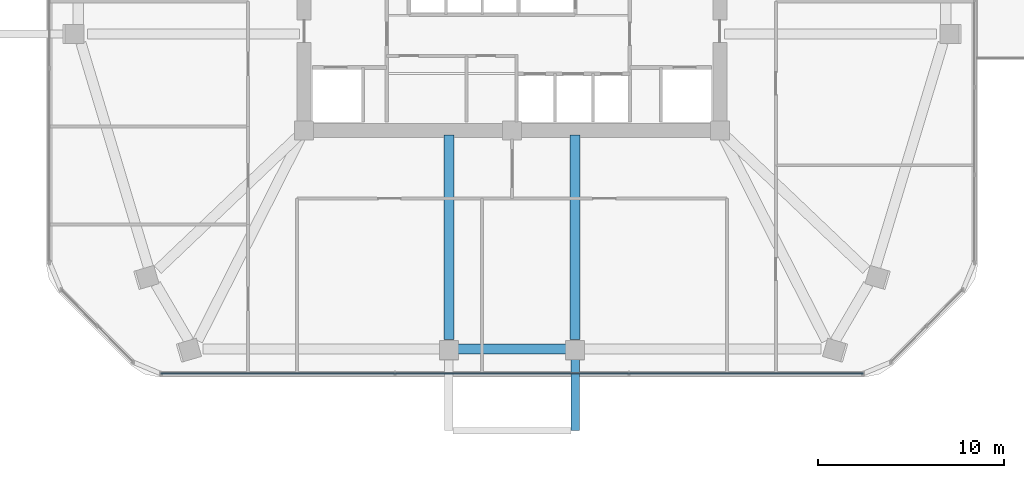
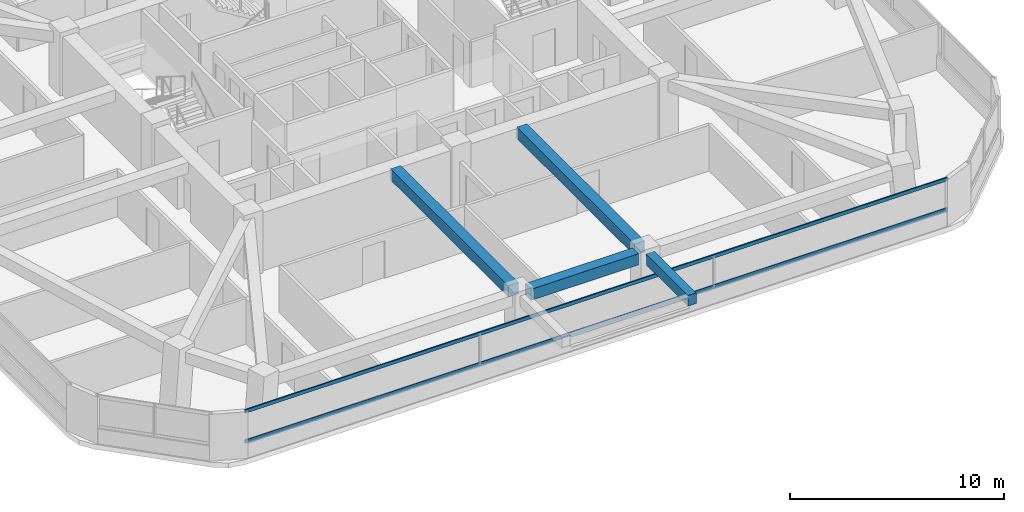
# One storey, part 3 of 13: 4 beams, 2 members, 1 element without a shape of its own.
"""IFC4 building model written with IfcOpenShell, lengths in metres."""

from ifc_helpers import new_model, si_unit, derived_unit, direction, frame, origin, origin_2d, place, context, subcontext, project, spatial, rectangle, extrude, material, material_profile, profile_set, type_object, element, aggregate, save


model = new_model("IFC4")

# Units and contexts
model_context = context("Model", 3, precision=1e-05, world=origin(), true_north=direction((0.0, 1.0)))
body_context = subcontext(model_context, "Body", "Model", "MODEL_VIEW")
ifc_project = project(units=[si_unit("LENGTHUNIT", "METRE"), si_unit("AREAUNIT", "SQUARE_METRE"), si_unit("VOLUMEUNIT", "CUBIC_METRE"), si_unit("PLANEANGLEUNIT", "RADIAN"), si_unit("MASSUNIT", "GRAM", prefix="KILO"), derived_unit("THERMALTRANSMITTANCEUNIT", [(si_unit("POWERUNIT", "WATT"), 1), (si_unit("LENGTHUNIT", "METRE"), -2), (si_unit("THERMODYNAMICTEMPERATUREUNIT", "KELVIN"), -1)])], contexts=[model_context])

# Site, building, storey
site_placement = place(None, origin())
site = spatial("IfcSite", under=ifc_project, at=site_placement, CompositionType="ELEMENT")
building_placement = place(site_placement, origin())
building = spatial("IfcBuilding", under=site, at=building_placement, Name="Koralith Skygarden Medical Center", CompositionType="ELEMENT")
storey_placement = place(building_placement, frame((0.0, 0.0, 109.97998046875)))
storey = spatial("IfcBuildingStorey", under=building, at=storey_placement, Name="L28", CompositionType="ELEMENT", Elevation=109.97998046875)

# Curtain wall, members
ifc_material_1 = material(Name="Clear Laminated Glass", Category="glass")
curtain_wall_type = type_object("IfcCurtainWallType", Name="CW-3 Zone 2 Faceted Solar Curtain Wall", PredefinedType="NOTDEFINED", material=ifc_material_1)
curtain_wall_placement = place(storey_placement, origin())
curtain_wall = element("IfcCurtainWall", 1, at=curtain_wall_placement, inside=storey, type_object=curtain_wall_type, Name="Curtain Wall CW-L28-S", PredefinedType="NOTDEFINED")
ifc_material_2 = material(Name="Aluminium 6063-T6", Category="aluminium")
ifc_material_profile_1 = material_profile(ifc_material_2, rectangle(XDim=0.069091796875, YDim=0.197998046875, at=origin_2d()), Name="TRN69X198")
ifc_profile_set_1 = profile_set([ifc_material_profile_1], Name="Aluminium 6063-T6")
member_type = type_object("IfcMemberType", Name="CW-3 Thermal Transom 69x198", PredefinedType="USERDEFINED", material=ifc_profile_set_1)
member_1_placement = place(storey_placement, frame((18.069091796875, 4.2109375, 0.89990234375), z_axis=(1.0, 0.0, 0.0), x_axis=(0.0, 1.0, 0.0)))
member_1 = element("IfcMember", 2, at=member_1_placement, type_object=member_type, Name="CW-L28-S Transom 1", ObjectType="TRANSOM", PredefinedType="USERDEFINED", context=body_context, shape_type="SweptSolid", body=[
    extrude(rectangle(XDim=0.069091796875, YDim=0.197998046875, at=origin_2d()), origin(), (0.0, 0.0, 1.0), 37.86181640625),
])
member_2_placement = place(storey_placement, frame((18.069091796875, 4.2109375, 2.6201171875), z_axis=(1.0, 0.0, 0.0), x_axis=(0.0, 1.0, 0.0)))
member_2 = element("IfcMember", 3, at=member_2_placement, type_object=member_type, Name="CW-L28-S Transom 2", ObjectType="TRANSOM", PredefinedType="USERDEFINED", context=body_context, shape_type="SweptSolid", body=[
    extrude(rectangle(XDim=0.069091796875, YDim=0.197998046875, at=origin_2d()), origin(), (0.0, 0.0, 1.0), 37.86181640625),
])
aggregate(curtain_wall, [member_1, member_2])

# Beams
ifc_material_3 = material(Name="Concrete C45/55", Category="concrete")
ifc_material_profile_2 = material_profile(ifc_material_3, rectangle(XDim=0.449951171875, YDim=0.60009765625, at=origin_2d()), Name="RCB450X600")
ifc_profile_set_2 = profile_set([ifc_material_profile_2], Name="Concrete C45/55")
beam_type_1 = type_object("IfcBeamType", Name="Planted Balcony Cantilever Beam RCB450X600", PredefinedType="BEAM", material=ifc_profile_set_2)
beam_1_placement = place(storey_placement, frame((40.39990234375, 5.049072265625, 3.0400390625), z_axis=(0.0, -1.0, 0.0), x_axis=(1.0, 0.0, 0.0)))
element("IfcBeam", 4, at=beam_1_placement, inside=storey, type_object=beam_type_1, Name="L29 S Balcony Cantilever Beam B", PredefinedType="BEAM", context=body_context, shape_type="SweptSolid", body=[
    extrude(rectangle(XDim=0.449951171875, YDim=0.60009765625, at=origin_2d()), origin(), (0.0, 0.0, 1.0), 3.920166015625),
])
ifc_material_profile_3 = material_profile(ifc_material_3, rectangle(XDim=0.550048828125, YDim=0.639892578125, at=origin_2d()), Name="RCB550X640")
ifc_profile_set_3 = profile_set([ifc_material_profile_3], Name="Concrete C45/55")
beam_type_2 = type_object("IfcBeamType", Name="Radial Collector Beam RCB550X640", PredefinedType="BEAM", material=ifc_profile_set_3)
for number, where, z_axis, x_axis, name in (
    (5, (33.60009765625, 17.050048828125, 3.0), (0.0, -1.0, 0.0), (1.0, 0.0, 0.0), "L28 Radial Collector Beam RB-04"),
    (6, (40.39990234375, 17.050048828125, 3.0), (0.0, -1.0, 0.0), (1.0, 0.0, 0.0), "L28 Radial Collector Beam RB-05"),
):
    element("IfcBeam", number, at=place(storey_placement, frame(where, z_axis=z_axis, x_axis=x_axis)), inside=storey, type_object=beam_type_2, Name=name, PredefinedType="BEAM", context=body_context, shape_type="SweptSolid", body=[
        extrude(rectangle(XDim=0.550048828125, YDim=0.639892578125, at=origin_2d()), origin(), (0.0, 0.0, 1.0), 11.010986328125),
    ])
ifc_material_profile_4 = material_profile(ifc_material_3, rectangle(XDim=0.550048828125, YDim=0.639892578125, at=origin_2d()), Name="RCB550X640")
ifc_profile_set_4 = profile_set([ifc_material_profile_4], Name="Concrete C45/55")
beam_type_3 = type_object("IfcBeamType", Name="Zone 2-3 Spandrel Beam RCB550X640", PredefinedType="SPANDREL", material=ifc_profile_set_4)
beam_2_placement = place(storey_placement, frame((34.10009765625, 5.5390625, 3.0), z_axis=(1.0, 0.0, 0.0), x_axis=(0.0, 1.0, 0.0)))
element("IfcBeam", 7, at=beam_2_placement, inside=storey, type_object=beam_type_3, Name="L28 Perimeter Spandrel Beam SP-04", PredefinedType="SPANDREL", context=body_context, shape_type="SweptSolid", body=[
    extrude(rectangle(XDim=0.550048828125, YDim=0.639892578125, at=origin_2d()), origin(), (0.0, 0.0, 1.0), 5.7998046875),
])

save(model, "model.ifc")
